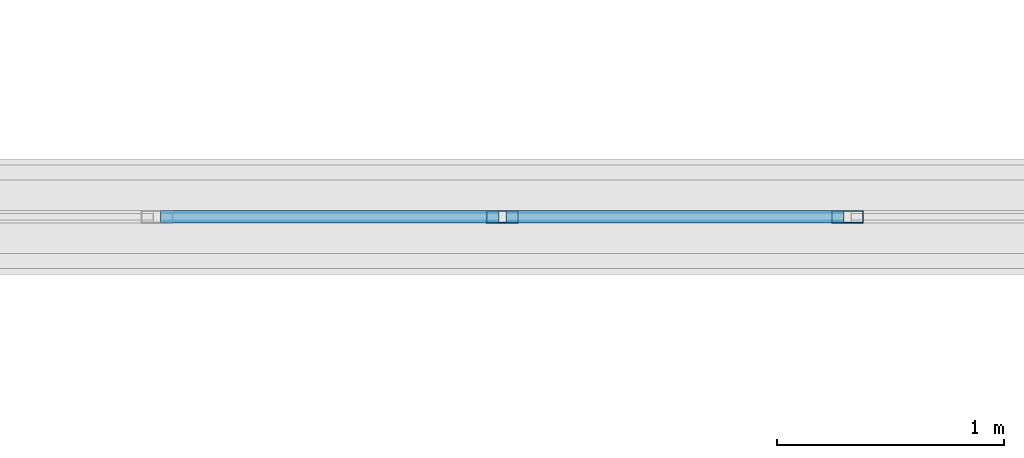
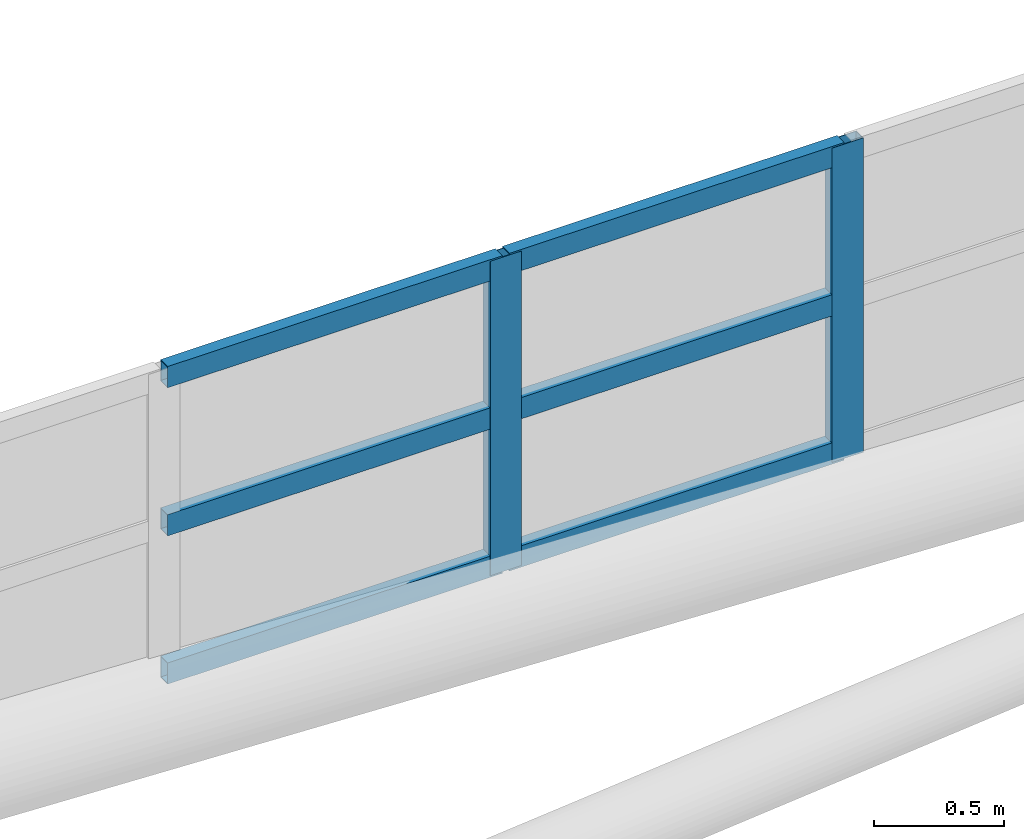
# One storey, part 98 of 397: 8 members, 1 element without a shape of its own.
"""IFC4 building model written with IfcOpenShell, lengths in metres."""

import ifcopenshell
import ifcopenshell.guid

model = None  # the IFC model being written
_history = None  # IfcOwnerHistory: only IFC2X3 demands one
_inside = {}  # id of a spatial element -> (the spatial element, [elements in it])
_under = {}  # id of a project, library or spatial element -> (it, [spatial elements below it])
_declared = {}  # id of a project -> (the project, [libraries it declares])
_typed = {}  # id of a type object -> (the type object, [elements of that type])
_made_of = {}  # id of a material, layer set ... -> (it, [elements and type objects made of it])


def new_model(schema):
    """Start an empty IFC model of exactly this schema.

    Asked for "IFC4X3", IfcOpenShell would pick the latest addendum, in which some entities
    have other attributes; the version numbers below select the first issue.
    IFC2X3 requires an IfcOwnerHistory on every rooted entity: one is made here for all.
    """
    global model, _history
    if schema == "IFC4X3":
        model = ifcopenshell.file(schema_version=(4, 3, 0, 0))
    else:
        model = ifcopenshell.file(schema=schema)
    _inside.clear()
    _under.clear()
    _declared.clear()
    _typed.clear()
    _made_of.clear()
    _history = None
    if model.schema == "IFC2X3":
        org = make("IfcOrganization", Name="unknown")
        user = make(
            "IfcPersonAndOrganization",
            ThePerson=make("IfcPerson", FamilyName="unknown"),
            TheOrganization=org,
        )
        app = make(
            "IfcApplication",
            ApplicationDeveloper=org,
            Version="unknown",
            ApplicationFullName="unknown",
            ApplicationIdentifier="unknown",
        )
        _history = make(
            "IfcOwnerHistory",
            OwningUser=user,
            OwningApplication=app,
            ChangeAction="ADDED",
            CreationDate=0,
        )
    return model


def make(cls, **values):
    """One entity of the class cls with the attributes given. An attribute that is None is left unset."""
    return model.create_entity(
        cls, **{name: value for name, value in values.items() if value is not None}
    )


def rooted(cls, **values):
    """An entity with a GlobalId (a new one), such as an element, a storey or a relation."""
    return make(cls, GlobalId=ifcopenshell.guid.new(), OwnerHistory=_history, **values)


def si_unit(unit_type, name, prefix=None):
    """IfcSIUnit, for example si_unit("LENGTHUNIT", "METRE", prefix="MILLI")."""
    return make("IfcSIUnit", UnitType=unit_type, Prefix=prefix, Name=name)


def assignment(units):
    """IfcUnitAssignment: the units of a project."""
    return None if units is None else make("IfcUnitAssignment", Units=units)


def point(xyz):
    """IfcCartesianPoint."""
    return None if xyz is None else make("IfcCartesianPoint", Coordinates=xyz)


def direction(xyz):
    """IfcDirection."""
    return None if xyz is None else make("IfcDirection", DirectionRatios=xyz)


def frame(location, z_axis=None, x_axis=None):
    """IfcAxis2Placement3D, a coordinate frame: its origin and axes. An axis left out is left unset."""
    return make(
        "IfcAxis2Placement3D",
        Location=point(location),
        Axis=direction(z_axis),
        RefDirection=direction(x_axis),
    )


def frame_2d(location, x_axis=None):
    """IfcAxis2Placement2D, a coordinate frame in the plane: its origin and x axis."""
    return make(
        "IfcAxis2Placement2D", Location=point(location), RefDirection=direction(x_axis)
    )


def origin():
    """The frame at (0, 0, 0) with its axes left unset."""
    return frame((0.0, 0.0, 0.0))


def origin_2d():
    """The frame at (0, 0) in the plane with its x axis left unset."""
    return frame_2d((0.0, 0.0))


def place(relative_to, where):
    """IfcLocalPlacement: puts the frame where relative to a parent placement (None: the world)."""
    return make(
        "IfcLocalPlacement", PlacementRelTo=relative_to, RelativePlacement=where
    )


def context(
    kind, dimensions, precision=None, world=None, true_north=None, identifier=None
):
    """IfcGeometricRepresentationContext, for example the 3D "Model" context."""
    return make(
        "IfcGeometricRepresentationContext",
        ContextIdentifier=identifier,
        ContextType=kind,
        CoordinateSpaceDimension=dimensions,
        Precision=precision,
        WorldCoordinateSystem=world,
        TrueNorth=true_north,
    )


def subcontext(parent, identifier, kind, view, scale=None):
    """IfcGeometricRepresentationSubContext, for example "Body" below "Model"."""
    return make(
        "IfcGeometricRepresentationSubContext",
        ContextIdentifier=identifier,
        ContextType=kind,
        ParentContext=parent,
        TargetScale=scale,
        TargetView=view,
    )


def project(units=None, contexts=None):
    """IfcProject with its units and contexts."""
    return rooted(
        "IfcProject",
        Name="project",
        RepresentationContexts=contexts,
        UnitsInContext=assignment(units),
    )


def spatial(cls, under=None, at=None, **own):
    """A site, building, storey or space (cls), placed at a placement, below another one or the project."""
    s = rooted(cls, ObjectPlacement=at, **own)
    if under is not None:
        _under.setdefault(under.id(), (under, []))[1].append(s)
    return s


def profile(cls, at=None, kind="AREA", **sizes):
    """A parametric profile (cls). Its sizes go by their IFC names, for example OverallWidth=200.0."""
    return make(cls, ProfileType=kind, Position=at, **sizes)


def hollow_rectangle(**sizes):
    """IfcRectangleHollowProfileDef."""
    return profile("IfcRectangleHollowProfileDef", **sizes)


def extrude(swept, where, along, depth):
    """IfcExtrudedAreaSolid: the profile swept, set in the frame where, extruded along a direction by depth."""
    return make(
        "IfcExtrudedAreaSolid",
        SweptArea=swept,
        Position=where,
        ExtrudedDirection=direction(along),
        Depth=depth,
    )


def shape(context_of_items, identifier, shape_type, items):
    """IfcShapeRepresentation: the items that make up one representation, for example the "Body"."""
    return make(
        "IfcShapeRepresentation",
        ContextOfItems=context_of_items,
        RepresentationIdentifier=identifier,
        RepresentationType=shape_type,
        Items=items,
    )


def material(Name=None, Category=None):
    """IfcMaterial."""
    return make("IfcMaterial", Name=Name, Category=Category)


def material_profile(
    of_material, cross_section, Name=None, Category=None, Priority=None
):
    """IfcMaterialProfile: a cross section and its material."""
    return make(
        "IfcMaterialProfile",
        Name=Name,
        Material=of_material,
        Profile=cross_section,
        Priority=Priority,
        Category=Category,
    )


def profile_set(profiles, Name=None, composite=None):
    """IfcMaterialProfileSet."""
    return make(
        "IfcMaterialProfileSet",
        Name=Name,
        MaterialProfiles=profiles,
        CompositeProfile=composite,
    )


def made_of(thing, what):
    """Note that an element or type object is made of a material, layer set ...; save() writes the relation."""
    if what is not None:
        _made_of.setdefault(what.id(), (what, []))[1].append(thing)
    return thing


def type_object(cls, material=None, **own):
    """A type object (cls), such as IfcWallType, which elements share."""
    return made_of(rooted(cls, **own), material)


def element(
    cls,
    number,
    at=None,
    inside=None,
    cuts=None,
    type_object=None,
    material=None,
    context=None,
    identifier="Body",
    shape_type=None,
    held_by="IfcProductDefinitionShape",
    body=None,
    shapes=None,
    **own,
):
    """One element of the class cls, such as IfcWall. Its Tag is "e" and its number.

    at: its placement. inside: the storey or other place that contains it. cuts: it is an
    opening in that element (IfcRelVoidsElement). A single representation is given by context,
    identifier, shape_type and body (its items); several are given by shapes. held_by: the class
    of the entity that holds the representations. save() writes the other relations.
    """
    e = rooted(cls, Tag="e%d" % number, ObjectPlacement=at, **own)
    if body is not None:
        shapes = [shape(context, identifier, shape_type, body)]
    if shapes is not None:
        e.Representation = make(held_by, Representations=shapes)
    if inside is not None:
        _inside.setdefault(inside.id(), (inside, []))[1].append(e)
    if cuts is not None:
        rooted(
            "IfcRelVoidsElement", RelatingBuildingElement=cuts, RelatedOpeningElement=e
        )
    if type_object is not None:
        _typed.setdefault(type_object.id(), (type_object, []))[1].append(e)
    return made_of(e, material)


def aggregate(whole, parts):
    """IfcRelAggregates: a whole, such as a stair, and the parts it consists of."""
    return rooted("IfcRelAggregates", RelatingObject=whole, RelatedObjects=parts)


def save(model, path):
    """Write the relations noted so far, then the file.

    IfcRelAggregates (storeys below a building ...), IfcRelContainedInSpatialStructure (elements
    in a storey), IfcRelDefinesByType, IfcRelAssociatesMaterial and IfcRelDeclares: one each for
    every whole, place, type object, material and project.
    """
    for whole, parts in _under.values():
        aggregate(whole, parts)
    for where, things in _inside.values():
        rooted(
            "IfcRelContainedInSpatialStructure",
            RelatedElements=things,
            RelatingStructure=where,
        )
    for kind, things in _typed.values():
        rooted("IfcRelDefinesByType", RelatedObjects=things, RelatingType=kind)
    for what, things in _made_of.values():
        rooted("IfcRelAssociatesMaterial", RelatedObjects=things, RelatingMaterial=what)
    for by, libraries in _declared.values():
        rooted("IfcRelDeclares", RelatingContext=by, RelatedDefinitions=libraries)
    model.write(path)


model = new_model("IFC4")

# Units and contexts
model_context = context("Model", 3, precision=1e-05, world=origin(), true_north=direction((0.0, 1.0)))
body_context = subcontext(model_context, "Body", "Model", "MODEL_VIEW")
ifc_project = project(units=[si_unit("LENGTHUNIT", "METRE"), si_unit("AREAUNIT", "SQUARE_METRE"), si_unit("VOLUMEUNIT", "CUBIC_METRE"), si_unit("PLANEANGLEUNIT", "RADIAN"), si_unit("MASSUNIT", "GRAM", prefix="KILO")], contexts=[model_context])

# Site, building, storey
site_placement = place(None, origin())
site = spatial("IfcSite", under=ifc_project, at=site_placement, CompositionType="ELEMENT")
building_placement = place(site_placement, origin())
building = spatial("IfcBuilding", under=site, at=building_placement, Name="Qandorah Velis Arena", CompositionType="ELEMENT")
storey_placement = place(building_placement, frame((0.0, 0.0, 27.5)))
storey = spatial("IfcBuildingStorey", under=building, at=storey_placement, Name="RF", CompositionType="ELEMENT", Elevation=27.5)

# Curtain wall, members
ifc_material_1 = material(Name="Solar-control low-E double glazing", Category="glass")
curtain_wall_type = type_object("IfcCurtainWallType", Name="ARC-CW-SYS19", PredefinedType="USERDEFINED", material=ifc_material_1)
curtain_wall_placement = place(storey_placement, origin())
curtain_wall = element("IfcCurtainWall", 1, at=curtain_wall_placement, inside=storey, type_object=curtain_wall_type, Name="Unitised curtain wall OCULUS-3-4", ObjectType="UNITISED CURTAIN WALL", PredefinedType="USERDEFINED")
ifc_material_2 = material(Name="Champagne-bronze anodized aluminium 6063-T6", Category="aluminium")
ifc_material_profile_1 = material_profile(ifc_material_2, hollow_rectangle(XDim=0.054931640625, YDim=0.139892578125, WallThickness=0.0029296875, at=origin_2d()), Name="ALU MULLION 55x140")
ifc_profile_set_1 = profile_set([ifc_material_profile_1], Name="Champagne-bronze anodized aluminium 6063-T6")
member_type_1 = type_object("IfcMemberType", Name="ARC-CWM-140", PredefinedType="MULLION", material=ifc_profile_set_1)
member_1_placement = place(storey_placement, frame((76.916748046875, 28.800048828125, 9.5341796875), z_axis=(0.0, 0.0, 1.0), x_axis=(0.0, 1.0, 0.0)))
member_1 = element("IfcMember", 2, at=member_1_placement, type_object=member_type_1, Name="CW19 mullion 4", PredefinedType="MULLION", context=body_context, shape_type="SweptSolid", body=[
    extrude(hollow_rectangle(XDim=0.054931640625, YDim=0.139892578125, WallThickness=0.0029296875, at=origin_2d()), origin(), (0.0, 0.0, 1.0), 1.480712890625),
])
member_2_placement = place(storey_placement, frame((78.43896484375, 28.800048828125, 9.5341796875), z_axis=(0.0, 0.0, 1.0), x_axis=(0.0, 1.0, 0.0)))
member_2 = element("IfcMember", 3, at=member_2_placement, type_object=member_type_1, Name="CW19 mullion 5", PredefinedType="MULLION", context=body_context, shape_type="SweptSolid", body=[
    extrude(hollow_rectangle(XDim=0.054931640625, YDim=0.139892578125, WallThickness=0.0029296875, at=origin_2d()), origin(), (0.0, 0.0, 1.0), 1.480712890625),
])
ifc_material_profile_2 = material_profile(ifc_material_2, hollow_rectangle(XDim=0.054931640625, YDim=0.10009765625, WallThickness=0.0029296875, at=origin_2d()), Name="ALU TRANSOM 55x100")
ifc_profile_set_2 = profile_set([ifc_material_profile_2], Name="Champagne-bronze anodized aluminium 6063-T6")
member_type_2 = type_object("IfcMemberType", Name="ARC-CWT-100", PredefinedType="USERDEFINED", material=ifc_profile_set_2)
member_3_placement = place(storey_placement, frame((75.409912109375, 28.800048828125, 9.57666015625), z_axis=(1.0, 0.0, 0.0), x_axis=(0.0, 1.0, 0.0)))
member_3 = element("IfcMember", 4, at=member_3_placement, type_object=member_type_2, Name="CW19 transom 3.1", ObjectType="TRANSOM", PredefinedType="USERDEFINED", context=body_context, shape_type="SweptSolid", body=[
    extrude(hollow_rectangle(XDim=0.054931640625, YDim=0.10009765625, WallThickness=0.0029296875, at=origin_2d()), origin(), (0.0, 0.0, 1.0), 1.4912109375),
])
member_4_placement = place(storey_placement, frame((75.409912109375, 28.800048828125, 10.274658203125), z_axis=(1.0, 0.0, 0.0), x_axis=(0.0, 1.0, 0.0)))
member_4 = element("IfcMember", 5, at=member_4_placement, type_object=member_type_2, Name="CW19 transom 3.2", ObjectType="TRANSOM", PredefinedType="USERDEFINED", context=body_context, shape_type="SweptSolid", body=[
    extrude(hollow_rectangle(XDim=0.054931640625, YDim=0.10009765625, WallThickness=0.0029296875, at=origin_2d()), origin(), (0.0, 0.0, 1.0), 1.4912109375),
])
member_5_placement = place(storey_placement, frame((75.409912109375, 28.800048828125, 10.972412109375), z_axis=(1.0, 0.0, 0.0), x_axis=(0.0, 1.0, 0.0)))
member_5 = element("IfcMember", 6, at=member_5_placement, type_object=member_type_2, Name="CW19 transom 3.3", ObjectType="TRANSOM", PredefinedType="USERDEFINED", context=body_context, shape_type="SweptSolid", body=[
    extrude(hollow_rectangle(XDim=0.054931640625, YDim=0.10009765625, WallThickness=0.0029296875, at=origin_2d()), origin(), (0.0, 0.0, 1.0), 1.4912109375),
])
member_6_placement = place(storey_placement, frame((76.93212890625, 28.800048828125, 9.57666015625), z_axis=(1.0, 0.0, 0.0), x_axis=(0.0, 1.0, 0.0)))
member_6 = element("IfcMember", 7, at=member_6_placement, type_object=member_type_2, Name="CW19 transom 4.1", ObjectType="TRANSOM", PredefinedType="USERDEFINED", context=body_context, shape_type="SweptSolid", body=[
    extrude(hollow_rectangle(XDim=0.054931640625, YDim=0.10009765625, WallThickness=0.0029296875, at=origin_2d()), origin(), (0.0, 0.0, 1.0), 1.4912109375),
])
member_7_placement = place(storey_placement, frame((76.93212890625, 28.800048828125, 10.274658203125), z_axis=(1.0, 0.0, 0.0), x_axis=(0.0, 1.0, 0.0)))
member_7 = element("IfcMember", 8, at=member_7_placement, type_object=member_type_2, Name="CW19 transom 4.2", ObjectType="TRANSOM", PredefinedType="USERDEFINED", context=body_context, shape_type="SweptSolid", body=[
    extrude(hollow_rectangle(XDim=0.054931640625, YDim=0.10009765625, WallThickness=0.0029296875, at=origin_2d()), origin(), (0.0, 0.0, 1.0), 1.4912109375),
])
member_8_placement = place(storey_placement, frame((76.93212890625, 28.800048828125, 10.972412109375), z_axis=(1.0, 0.0, 0.0), x_axis=(0.0, 1.0, 0.0)))
member_8 = element("IfcMember", 9, at=member_8_placement, type_object=member_type_2, Name="CW19 transom 4.3", ObjectType="TRANSOM", PredefinedType="USERDEFINED", context=body_context, shape_type="SweptSolid", body=[
    extrude(hollow_rectangle(XDim=0.054931640625, YDim=0.10009765625, WallThickness=0.0029296875, at=origin_2d()), origin(), (0.0, 0.0, 1.0), 1.4912109375),
])
aggregate(curtain_wall, [member_1, member_2, member_3, member_4, member_5, member_6, member_7, member_8])

save(model, "model.ifc")
